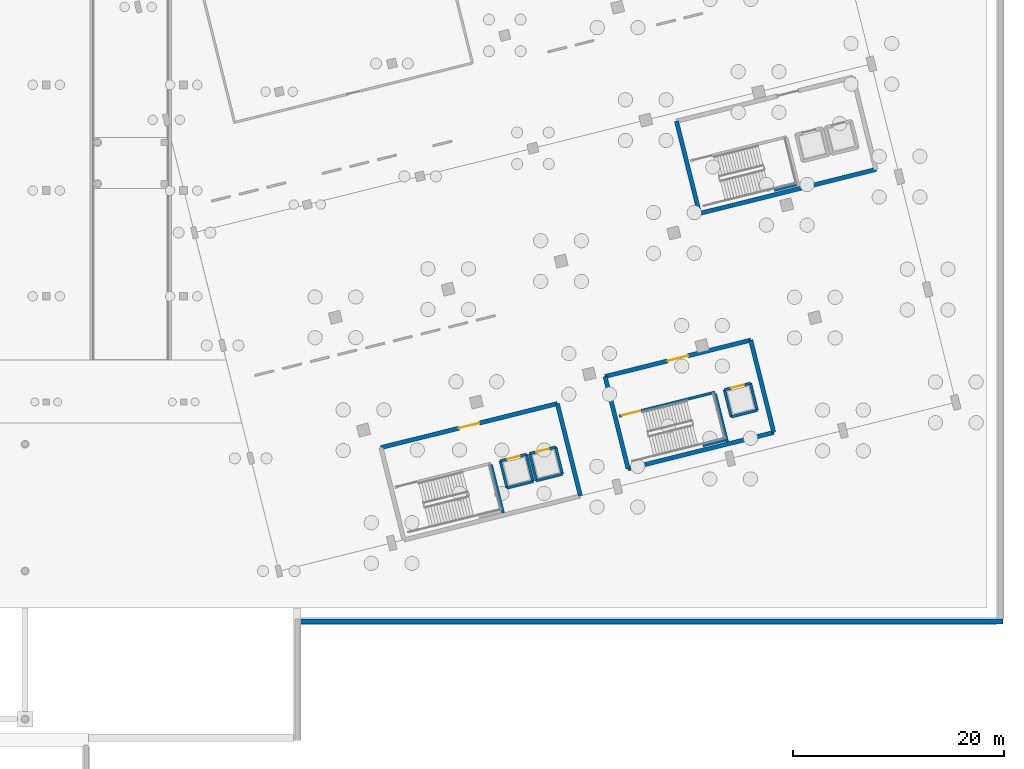
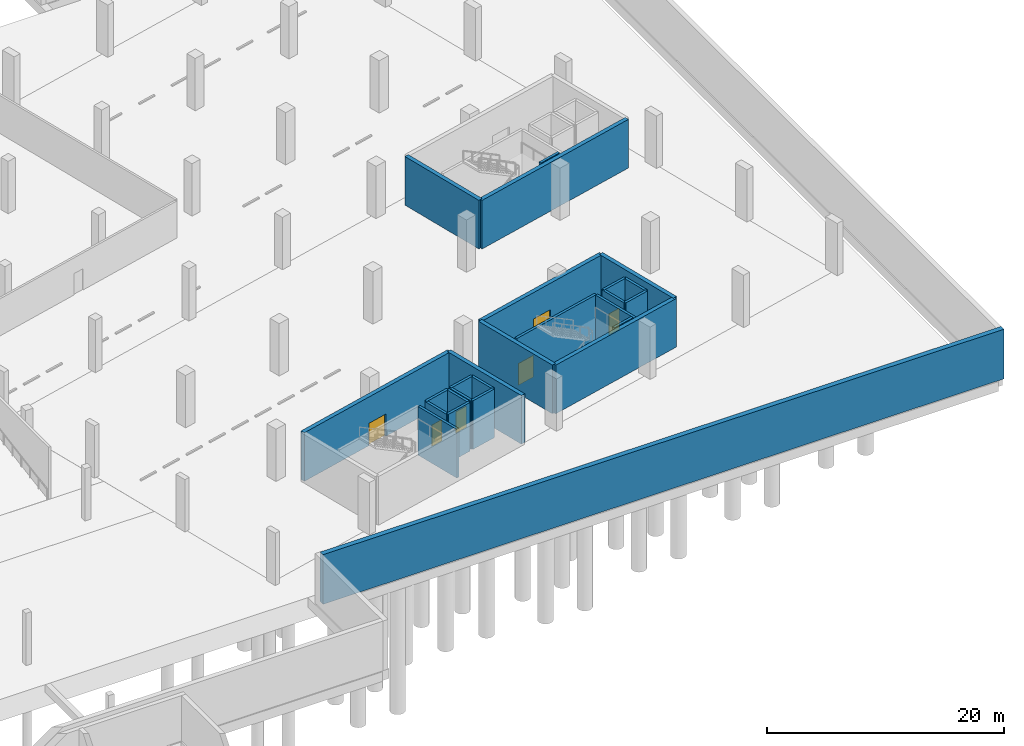
# One storey, part 53 of 65: 26 walls, 6 doors, 6 openings.
"""IFC4 building model written with IfcOpenShell, lengths in metres."""

from ifc_helpers import new_model, si_unit, direction, frame, frame_2d, origin, place, context, subcontext, project, spatial, rectangle, extrude, material, layer, layer_set, type_object, element, fill, save


model = new_model("IFC4")

# Units and contexts
model_context = context("Model", 3, precision=1e-05, world=origin(), true_north=direction((0.0, 1.0)))
body_context = subcontext(model_context, "Body", "Model", "MODEL_VIEW")
ifc_project = project(units=[si_unit("LENGTHUNIT", "METRE"), si_unit("AREAUNIT", "SQUARE_METRE"), si_unit("VOLUMEUNIT", "CUBIC_METRE"), si_unit("PLANEANGLEUNIT", "RADIAN"), si_unit("MASSUNIT", "GRAM", prefix="KILO")], contexts=[model_context])

# Site, building, storey
site_placement = place(None, origin())
site = spatial("IfcSite", under=ifc_project, at=site_placement, CompositionType="ELEMENT")
building_placement = place(site_placement, origin())
building = spatial("IfcBuilding", under=site, at=building_placement, Name="Khorjan Park Terminus", CompositionType="ELEMENT")
storey_placement = place(building_placement, frame((0.0, 0.0, -5.4)))
storey = spatial("IfcBuildingStorey", under=building, at=storey_placement, Name="B1", CompositionType="ELEMENT", Elevation=-5.4)

# Wall
ifc_material_1 = material(Name="Concrete C50/60", Category="concrete")
ifc_layer_1 = layer(ifc_material_1, 0.4)
ifc_layer_set_1 = layer_set([ifc_layer_1], Name="Concrete C50/60")
wall_type_1 = type_object("IfcWallType", Name="CW-40", PredefinedType="SHEAR", material=ifc_layer_set_1)
wall_1_placement = place(storey_placement, frame((194.5267, 9.1125, 0.0), z_axis=(0.0, 0.0, 1.0), x_axis=(-0.241923808098, 0.970295249435, 0.0)))
element("IfcWall", 1, at=wall_1_placement, inside=storey, type_object=wall_type_1, Name="Operations West Firefighting Core concrete shear wall CW-40 (B1-E2)", PredefinedType="SHEAR", context=body_context, shape_type="SweptSolid", body=[
    extrude(rectangle(XDim=8.9999, YDim=0.4, at=frame_2d((4.5, 0.0))), origin(), (0.0, 0.0, 1.0), 5.02),
])

# Wall, opening, door
wall_2_placement = place(storey_placement, frame((192.3494, 17.8451, 0.0), z_axis=(0.0, 0.0, 1.0), x_axis=(-0.970296544738, -0.241918612906, 0.0)))
wall_2 = element("IfcWall", 2, at=wall_2_placement, inside=storey, type_object=wall_type_1, Name="Operations West Firefighting Core concrete shear wall CW-40 (B1-E3)", PredefinedType="SHEAR", context=body_context, shape_type="SweptSolid", body=[
    extrude(rectangle(XDim=17.2, YDim=0.4, at=frame_2d((8.6, 0.0))), origin(), (0.0, 0.0, 1.0), 5.02),
])
opening_1_placement = place(wall_2_placement, frame((7.6, 0.0, 0.0)))
opening_1 = element("IfcOpeningElement", 3, at=opening_1_placement, cuts=wall_2, Name="Opening FD-20", PredefinedType="OPENING", context=body_context, shape_type="SweptSolid", body=[
    extrude(rectangle(XDim=2.0, YDim=2.3, at=frame_2d((1.0, 1.15))), frame((0.0, 0.21, 0.0), z_axis=(0.0, -1.0, 0.0), x_axis=(1.0, 0.0, 0.0)), (0.0, 0.0, 1.0), 0.42),
])
ifc_material_2 = material(Name="Fire-Rated Steel Double Door", Category="steel")
door_type_1 = type_object("IfcDoorType", Name="FD-20", OperationType="NOTDEFINED", PredefinedType="DOOR", material=ifc_material_2)
door_1_placement = place(opening_1_placement, origin())
door_1 = element("IfcDoor", 4, at=door_1_placement, inside=storey, type_object=door_type_1, Name="Operations West Firefighting Core fire-rated exit door FD-20 (B1)", OperationType="DOUBLE_DOOR_SINGLE_SWING", OverallHeight=2.3, OverallWidth=2.0, PredefinedType="DOOR", context=body_context, shape_type="SweptSolid", body=[
    extrude(rectangle(XDim=2.0, YDim=2.3, at=frame_2d((1.0, 1.15))), frame((0.0, 0.025, 0.0), z_axis=(0.0, -1.0, 0.0), x_axis=(1.0, 0.0, 0.0)), (0.0, 0.0, 1.0), 0.05),
])
fill(opening_1, door_1)

# Walls
wall_3_placement = place(storey_placement, frame((205.7973, 35.8328, 0.0), z_axis=(0.0, 0.0, 1.0), x_axis=(0.970295179998, 0.241924086589, 0.0)))
element("IfcWall", 5, at=wall_3_placement, inside=storey, type_object=wall_type_1, Name="Operations North-East Firefighting Core concrete shear wall CW-40 (B1-E1)", PredefinedType="SHEAR", context=body_context, shape_type="SweptSolid", body=[
    extrude(rectangle(XDim=17.2, YDim=0.4, at=frame_2d((8.6, 0.0))), origin(), (0.0, 0.0, 1.0), 5.02),
])
wall_4_placement = place(storey_placement, frame((203.62, 44.5655, 0.0), z_axis=(0.0, 0.0, 1.0), x_axis=(0.241921199913, -0.97029589973, 0.0)))
element("IfcWall", 6, at=wall_4_placement, inside=storey, type_object=wall_type_1, Name="Operations North-East Firefighting Core concrete shear wall CW-40 (B1-E4)", PredefinedType="SHEAR", context=body_context, shape_type="SweptSolid", body=[
    extrude(rectangle(XDim=9.0, YDim=0.4, at=frame_2d((4.5, 0.0))), origin(), (0.0, 0.0, 1.0), 5.02),
])
wall_5_placement = place(storey_placement, frame((199.0395, 11.6805, 0.0), z_axis=(0.0, 0.0, 1.0), x_axis=(0.970295578967, 0.241922486422, 0.0)))
element("IfcWall", 7, at=wall_5_placement, inside=storey, type_object=wall_type_1, Name="Operations Central Command Core concrete shear wall CW-40 (B1-E1)", PredefinedType="SHEAR", context=body_context, shape_type="SweptSolid", body=[
    extrude(rectangle(XDim=14.2, YDim=0.4, at=frame_2d((7.1, 0.0))), origin(), (0.0, 0.0, 1.0), 5.02),
])
wall_6_placement = place(storey_placement, frame((212.8177, 15.1158, 0.0), z_axis=(0.0, 0.0, 1.0), x_axis=(-0.241921199913, 0.97029589973, 0.0)))
element("IfcWall", 8, at=wall_6_placement, inside=storey, type_object=wall_type_1, Name="Operations Central Command Core concrete shear wall CW-40 (B1-E2)", PredefinedType="SHEAR", context=body_context, shape_type="SweptSolid", body=[
    extrude(rectangle(XDim=9.0, YDim=0.4, at=frame_2d((4.5, 0.0))), origin(), (0.0, 0.0, 1.0), 5.02),
])

# Wall, opening, door
wall_7_placement = place(storey_placement, frame((210.6404, 23.8485, 0.0), z_axis=(0.0, 0.0, 1.0), x_axis=(-0.970295578967, -0.241922486422, 0.0)))
wall_7 = element("IfcWall", 9, at=wall_7_placement, inside=storey, type_object=wall_type_1, Name="Operations Central Command Core concrete shear wall CW-40 (B1-E3)", PredefinedType="SHEAR", context=body_context, shape_type="SweptSolid", body=[
    extrude(rectangle(XDim=14.2, YDim=0.4, at=frame_2d((7.1, 0.0))), origin(), (0.0, 0.0, 1.0), 5.02),
])
opening_2_placement = place(wall_7_placement, frame((6.1, 0.0, 0.0)))
opening_2 = element("IfcOpeningElement", 10, at=opening_2_placement, cuts=wall_7, Name="Opening FD-20", PredefinedType="OPENING", context=body_context, shape_type="SweptSolid", body=[
    extrude(rectangle(XDim=2.0, YDim=2.3, at=frame_2d((1.0, 1.15))), frame((0.0, 0.21, 0.0), z_axis=(0.0, -1.0, 0.0), x_axis=(1.0, 0.0, 0.0)), (0.0, 0.0, 1.0), 0.42),
])
door_2_placement = place(opening_2_placement, origin())
door_2 = element("IfcDoor", 11, at=door_2_placement, inside=storey, type_object=door_type_1, Name="Operations Central Command Core fire-rated exit door FD-20 (B1)", OperationType="DOUBLE_DOOR_SINGLE_SWING", OverallHeight=2.3, OverallWidth=2.0, PredefinedType="DOOR", context=body_context, shape_type="SweptSolid", body=[
    extrude(rectangle(XDim=2.0, YDim=2.3, at=frame_2d((1.0, 1.15))), frame((0.0, 0.025, 0.0), z_axis=(0.0, -1.0, 0.0), x_axis=(1.0, 0.0, 0.0)), (0.0, 0.0, 1.0), 0.05),
])
fill(opening_2, door_2)

# Walls
wall_8_placement = place(storey_placement, frame((196.8622, 20.4132, 0.0), z_axis=(0.0, 0.0, 1.0), x_axis=(0.241921199913, -0.97029589973, 0.0)))
element("IfcWall", 12, at=wall_8_placement, inside=storey, type_object=wall_type_1, Name="Operations Central Command Core concrete shear wall CW-40 (B1-E4)", PredefinedType="SHEAR", context=body_context, shape_type="SweptSolid", body=[
    extrude(rectangle(XDim=9.0, YDim=0.4, at=frame_2d((4.5, 0.0))), origin(), (0.0, 0.0, 1.0), 5.02),
])
ifc_material_3 = material(Name="Concrete C40/50", Category="concrete")
ifc_layer_2 = layer(ifc_material_3, 0.48)
ifc_layer_set_2 = layer_set([ifc_layer_2], Name="Concrete C40/50")
wall_type_2 = type_object("IfcWallType", Name="RW-48", PredefinedType="SOLIDWALL", material=ifc_layer_set_2)
wall_9_placement = place(storey_placement, frame((234.489, -2.752, 0.0), z_axis=(0.0, 0.0, 1.0), x_axis=(-1.0, 0.0, 0.0)))
element("IfcWall", 13, at=wall_9_placement, inside=storey, type_object=wall_type_2, Name="Perimeter substructure concrete retaining wall RW-48 (57)", PredefinedType="SOLIDWALL", context=body_context, shape_type="SweptSolid", body=[
    extrude(rectangle(XDim=66.489, YDim=0.48, at=frame_2d((33.2445, 0.0))), origin(), (0.0, 0.0, 1.0), 5.12),
])
ifc_layer_3 = layer(ifc_material_3, 0.25)
ifc_layer_set_3 = layer_set([ifc_layer_3], Name="Concrete C40/50")
wall_type_3 = type_object("IfcWallType", Name="SW-25", PredefinedType="SOLIDWALL", material=ifc_layer_set_3)
wall_10_placement = place(storey_placement, frame((187.5883, 9.8663, 0.0), z_axis=(0.0, 0.0, 1.0), x_axis=(0.97029284861, 0.241933436994, 0.0)))
element("IfcWall", 14, at=wall_10_placement, inside=storey, type_object=wall_type_3, Name="Lift L05 concrete shaft wall SW-25 (B1-1)", PredefinedType="SOLIDWALL", context=body_context, shape_type="SweptSolid", body=[
    extrude(rectangle(XDim=2.54, YDim=0.25, at=frame_2d((1.27, 0.0))), origin(), (0.0, 0.0, 1.0), 5.02),
])
wall_11_placement = place(storey_placement, frame((190.0528, 10.4808, 0.0), z_axis=(0.0, 0.0, 1.0), x_axis=(-0.241938414856, 0.970291607413, 0.0)))
element("IfcWall", 15, at=wall_11_placement, inside=storey, type_object=wall_type_3, Name="Lift L05 concrete shaft wall SW-25 (B1-2)", PredefinedType="SOLIDWALL", context=body_context, shape_type="SweptSolid", body=[
    extrude(rectangle(XDim=2.6399, YDim=0.25, at=frame_2d((1.3199, 0.0))), origin(), (0.0, 0.0, 1.0), 5.02),
])

# Wall, opening, door
wall_12_placement = place(storey_placement, frame((189.4141, 13.0423, 0.0), z_axis=(0.0, 0.0, 1.0), x_axis=(-0.97029284861, -0.241933436994, 0.0)))
wall_12 = element("IfcWall", 16, at=wall_12_placement, inside=storey, type_object=wall_type_3, Name="Lift L05 concrete shaft wall SW-25 (B1-3)", PredefinedType="SOLIDWALL", context=body_context, shape_type="SweptSolid", body=[
    extrude(rectangle(XDim=2.54, YDim=0.25, at=frame_2d((1.27, 0.0))), origin(), (0.0, 0.0, 1.0), 5.02),
])
opening_3_placement = place(wall_12_placement, frame((0.67, 0.0, 0.0)))
opening_3 = element("IfcOpeningElement", 17, at=opening_3_placement, cuts=wall_12, Name="Opening LD-12", PredefinedType="OPENING", context=body_context, shape_type="SweptSolid", body=[
    extrude(rectangle(XDim=1.2, YDim=2.2, at=frame_2d((0.6, 1.1))), frame((0.0, 0.135, 0.0), z_axis=(0.0, -1.0, 0.0), x_axis=(1.0, 0.0, 0.0)), (0.0, 0.0, 1.0), 0.27),
])
ifc_material_4 = material(Name="Stainless-Steel Lift Landing Sliding Door", Category="steel")
door_type_2 = type_object("IfcDoorType", Name="LD-12", OperationType="NOTDEFINED", PredefinedType="DOOR", material=ifc_material_4)
door_3_placement = place(opening_3_placement, origin())
door_3 = element("IfcDoor", 18, at=door_3_placement, inside=storey, type_object=door_type_2, Name="Lift L05 sliding landing door LD-12 (B1)", OperationType="SLIDING_TO_LEFT", OverallHeight=2.2, OverallWidth=1.2, PredefinedType="DOOR", context=body_context, shape_type="SweptSolid", body=[
    extrude(rectangle(XDim=1.2, YDim=2.2, at=frame_2d((0.6, 1.1))), frame((0.0, 0.025, 0.0), z_axis=(0.0, -1.0, 0.0), x_axis=(1.0, 0.0, 0.0)), (0.0, 0.0, 1.0), 0.05),
])
fill(opening_3, door_3)

# Walls
wall_13_placement = place(storey_placement, frame((186.9496, 12.4278, 0.0), z_axis=(0.0, 0.0, 1.0), x_axis=(0.241938414856, -0.970291607413, 0.0)))
element("IfcWall", 19, at=wall_13_placement, inside=storey, type_object=wall_type_3, Name="Lift L05 concrete shaft wall SW-25 (B1-4)", PredefinedType="SOLIDWALL", context=body_context, shape_type="SweptSolid", body=[
    extrude(rectangle(XDim=2.6399, YDim=0.25, at=frame_2d((1.3199, 0.0))), origin(), (0.0, 0.0, 1.0), 5.02),
])
wall_14_placement = place(storey_placement, frame((190.3633, 10.5582, 0.0), z_axis=(0.0, 0.0, 1.0), x_axis=(0.97029284861, 0.241933436994, 0.0)))
element("IfcWall", 20, at=wall_14_placement, inside=storey, type_object=wall_type_3, Name="Lift L06 concrete shaft wall SW-25 (B1-1)", PredefinedType="SOLIDWALL", context=body_context, shape_type="SweptSolid", body=[
    extrude(rectangle(XDim=2.54, YDim=0.25, at=frame_2d((1.27, 0.0))), origin(), (0.0, 0.0, 1.0), 5.02),
])
wall_15_placement = place(storey_placement, frame((192.8278, 11.1727, 0.0), z_axis=(0.0, 0.0, 1.0), x_axis=(-0.241938414856, 0.970291607413, 0.0)))
element("IfcWall", 21, at=wall_15_placement, inside=storey, type_object=wall_type_3, Name="Lift L06 concrete shaft wall SW-25 (B1-2)", PredefinedType="SOLIDWALL", context=body_context, shape_type="SweptSolid", body=[
    extrude(rectangle(XDim=2.6399, YDim=0.25, at=frame_2d((1.3199, 0.0))), origin(), (0.0, 0.0, 1.0), 5.02),
])

# Wall, opening, door
wall_16_placement = place(storey_placement, frame((192.1891, 13.7342, 0.0), z_axis=(0.0, 0.0, 1.0), x_axis=(-0.97029284861, -0.241933436994, 0.0)))
wall_16 = element("IfcWall", 22, at=wall_16_placement, inside=storey, type_object=wall_type_3, Name="Lift L06 concrete shaft wall SW-25 (B1-3)", PredefinedType="SOLIDWALL", context=body_context, shape_type="SweptSolid", body=[
    extrude(rectangle(XDim=2.54, YDim=0.25, at=frame_2d((1.27, 0.0))), origin(), (0.0, 0.0, 1.0), 5.02),
])
opening_4_placement = place(wall_16_placement, frame((0.67, 0.0, 0.0)))
opening_4 = element("IfcOpeningElement", 23, at=opening_4_placement, cuts=wall_16, Name="Opening LD-12", PredefinedType="OPENING", context=body_context, shape_type="SweptSolid", body=[
    extrude(rectangle(XDim=1.2, YDim=2.2, at=frame_2d((0.6, 1.1))), frame((0.0, 0.135, 0.0), z_axis=(0.0, -1.0, 0.0), x_axis=(1.0, 0.0, 0.0)), (0.0, 0.0, 1.0), 0.27),
])
door_4_placement = place(opening_4_placement, origin())
door_4 = element("IfcDoor", 24, at=door_4_placement, inside=storey, type_object=door_type_2, Name="Lift L06 sliding landing door LD-12 (B1)", OperationType="SLIDING_TO_RIGHT", OverallHeight=2.2, OverallWidth=1.2, PredefinedType="DOOR", context=body_context, shape_type="SweptSolid", body=[
    extrude(rectangle(XDim=1.2, YDim=2.2, at=frame_2d((0.6, 1.1))), frame((0.0, 0.025, 0.0), z_axis=(0.0, -1.0, 0.0), x_axis=(1.0, 0.0, 0.0)), (0.0, 0.0, 1.0), 0.05),
])
fill(opening_4, door_4)

# Walls
wall_17_placement = place(storey_placement, frame((189.7246, 13.1197, 0.0), z_axis=(0.0, 0.0, 1.0), x_axis=(0.241938414856, -0.970291607413, 0.0)))
element("IfcWall", 25, at=wall_17_placement, inside=storey, type_object=wall_type_3, Name="Lift L06 concrete shaft wall SW-25 (B1-4)", PredefinedType="SOLIDWALL", context=body_context, shape_type="SweptSolid", body=[
    extrude(rectangle(XDim=2.6399, YDim=0.25, at=frame_2d((1.3199, 0.0))), origin(), (0.0, 0.0, 1.0), 5.02),
])
wall_18_placement = place(storey_placement, frame((208.7902, 16.5954, 0.0), z_axis=(0.0, 0.0, 1.0), x_axis=(0.97029284861, 0.241933436994, 0.0)))
element("IfcWall", 26, at=wall_18_placement, inside=storey, type_object=wall_type_3, Name="Lift L12 concrete shaft wall SW-25 (B1-1)", PredefinedType="SOLIDWALL", context=body_context, shape_type="SweptSolid", body=[
    extrude(rectangle(XDim=2.54, YDim=0.25, at=frame_2d((1.27, 0.0))), origin(), (0.0, 0.0, 1.0), 5.02),
])
wall_19_placement = place(storey_placement, frame((211.2547, 17.2099, 0.0), z_axis=(0.0, 0.0, 1.0), x_axis=(-0.241938414856, 0.970291607413, 0.0)))
element("IfcWall", 27, at=wall_19_placement, inside=storey, type_object=wall_type_3, Name="Lift L12 concrete shaft wall SW-25 (B1-2)", PredefinedType="SOLIDWALL", context=body_context, shape_type="SweptSolid", body=[
    extrude(rectangle(XDim=2.6399, YDim=0.25, at=frame_2d((1.3199, 0.0))), origin(), (0.0, 0.0, 1.0), 5.02),
])

# Wall, opening, door
wall_20_placement = place(storey_placement, frame((210.616, 19.7714, 0.0), z_axis=(0.0, 0.0, 1.0), x_axis=(-0.97029284861, -0.241933436994, 0.0)))
wall_20 = element("IfcWall", 28, at=wall_20_placement, inside=storey, type_object=wall_type_3, Name="Lift L12 concrete shaft wall SW-25 (B1-3)", PredefinedType="SOLIDWALL", context=body_context, shape_type="SweptSolid", body=[
    extrude(rectangle(XDim=2.54, YDim=0.25, at=frame_2d((1.27, 0.0))), origin(), (0.0, 0.0, 1.0), 5.02),
])
opening_5_placement = place(wall_20_placement, frame((0.67, 0.0, 0.0)))
opening_5 = element("IfcOpeningElement", 29, at=opening_5_placement, cuts=wall_20, Name="Opening LD-12", PredefinedType="OPENING", context=body_context, shape_type="SweptSolid", body=[
    extrude(rectangle(XDim=1.2, YDim=2.2, at=frame_2d((0.6, 1.1))), frame((0.0, 0.135, 0.0), z_axis=(0.0, -1.0, 0.0), x_axis=(1.0, 0.0, 0.0)), (0.0, 0.0, 1.0), 0.27),
])
door_5_placement = place(opening_5_placement, origin())
door_5 = element("IfcDoor", 30, at=door_5_placement, inside=storey, type_object=door_type_2, Name="Lift L12 sliding landing door LD-12 (B1)", OperationType="SLIDING_TO_LEFT", OverallHeight=2.2, OverallWidth=1.2, PredefinedType="DOOR", context=body_context, shape_type="SweptSolid", body=[
    extrude(rectangle(XDim=1.2, YDim=2.2, at=frame_2d((0.6, 1.1))), frame((0.0, 0.025, 0.0), z_axis=(0.0, -1.0, 0.0), x_axis=(1.0, 0.0, 0.0)), (0.0, 0.0, 1.0), 0.05),
])
fill(opening_5, door_5)

# Walls
wall_21_placement = place(storey_placement, frame((208.1515, 19.1569, 0.0), z_axis=(0.0, 0.0, 1.0), x_axis=(0.241938414856, -0.970291607413, 0.0)))
element("IfcWall", 31, at=wall_21_placement, inside=storey, type_object=wall_type_3, Name="Lift L12 concrete shaft wall SW-25 (B1-4)", PredefinedType="SOLIDWALL", context=body_context, shape_type="SweptSolid", body=[
    extrude(rectangle(XDim=2.6399, YDim=0.25, at=frame_2d((1.3199, 0.0))), origin(), (0.0, 0.0, 1.0), 5.02),
])
wall_22_placement = place(storey_placement, frame((187.2253, 7.4981, 0.0), z_axis=(0.0, 0.0, 1.0), x_axis=(-0.241911120435, 0.970298412763, 0.0)))
element("IfcWall", 32, at=wall_22_placement, inside=storey, type_object=wall_type_3, Name="Operations West Firefighting Core stairwell end bearing wall SW-25 (B1)", PredefinedType="SOLIDWALL", context=body_context, shape_type="SweptSolid", body=[
    extrude(rectangle(XDim=4.71, YDim=0.25, at=frame_2d((2.355, 0.0))), origin(), (0.0, 0.0, 1.0), 5.02),
])
wall_23_placement = place(storey_placement, frame((212.8747, 38.0354, 0.0), z_axis=(0.0, 0.0, 1.0), x_axis=(0.97029738597, 0.241915238833, 0.0)))
element("IfcWall", 33, at=wall_23_placement, inside=storey, type_object=wall_type_3, Name="Operations North-East Firefighting Core half-landing bearing wall SW-25 (B1)", PredefinedType="SOLIDWALL", context=body_context, shape_type="SweptSolid", body=[
    extrude(rectangle(XDim=2.1999, YDim=0.25, at=frame_2d((1.0999, 0.0))), origin(), (0.0, 0.0, 1.0), 5.02),
])

# Wall, opening, door
wall_24_placement = place(storey_placement, frame((198.1901, 16.6579, 0.0), z_axis=(0.0, 0.0, 1.0), x_axis=(0.970297151331, 0.241916179943, 0.0)))
wall_24 = element("IfcWall", 34, at=wall_24_placement, inside=storey, type_object=wall_type_3, Name="Operations Central Command Core structural stairwell wall SW-25 (B1)", PredefinedType="SOLIDWALL", context=body_context, shape_type="SweptSolid", body=[
    extrude(rectangle(XDim=9.345, YDim=0.25, at=frame_2d((4.6725, 0.0))), origin(), (0.0, 0.0, 1.0), 5.02),
])
opening_6_placement = place(wall_24_placement, frame((0.25, 0.0, 0.0)))
opening_6 = element("IfcOpeningElement", 35, at=opening_6_placement, cuts=wall_24, Name="Opening FD-18", PredefinedType="OPENING", context=body_context, shape_type="SweptSolid", body=[
    extrude(rectangle(XDim=1.8, YDim=2.25, at=frame_2d((0.9, 1.125))), frame((0.0, 0.135, 0.0), z_axis=(0.0, -1.0, 0.0), x_axis=(1.0, 0.0, 0.0)), (0.0, 0.0, 1.0), 0.27),
])
door_type_3 = type_object("IfcDoorType", Name="FD-18", OperationType="NOTDEFINED", PredefinedType="DOOR", material=ifc_material_2)
door_6_placement = place(opening_6_placement, origin())
door_6 = element("IfcDoor", 36, at=door_6_placement, inside=storey, type_object=door_type_3, Name="Operations Central Command Core stairwell fire door FD-18 (B1)", OperationType="DOUBLE_DOOR_SINGLE_SWING", OverallHeight=2.25, OverallWidth=1.8, PredefinedType="DOOR", context=body_context, shape_type="SweptSolid", body=[
    extrude(rectangle(XDim=1.8, YDim=2.25, at=frame_2d((0.9, 1.125))), frame((0.0, 0.025, 0.0), z_axis=(0.0, -1.0, 0.0), x_axis=(1.0, 0.0, 0.0)), (0.0, 0.0, 1.0), 0.05),
])
fill(opening_6, door_6)

# Walls
wall_25_placement = place(storey_placement, frame((208.4272, 14.2272, 0.0), z_axis=(0.0, 0.0, 1.0), x_axis=(-0.241911120435, 0.970298412763, 0.0)))
element("IfcWall", 37, at=wall_25_placement, inside=storey, type_object=wall_type_3, Name="Operations Central Command Core stairwell end bearing wall SW-25 (B1)", PredefinedType="SOLIDWALL", context=body_context, shape_type="SweptSolid", body=[
    extrude(rectangle(XDim=4.71, YDim=0.25, at=frame_2d((2.355, 0.0))), origin(), (0.0, 0.0, 1.0), 5.02),
])
wall_26_placement = place(storey_placement, frame((206.1169, 13.8831, 0.0), z_axis=(0.0, 0.0, 1.0), x_axis=(0.97029738597, 0.241915238833, 0.0)))
element("IfcWall", 38, at=wall_26_placement, inside=storey, type_object=wall_type_3, Name="Operations Central Command Core half-landing bearing wall SW-25 (B1)", PredefinedType="SOLIDWALL", context=body_context, shape_type="SweptSolid", body=[
    extrude(rectangle(XDim=2.1999, YDim=0.25, at=frame_2d((1.0999, 0.0))), origin(), (0.0, 0.0, 1.0), 5.02),
])

save(model, "model.ifc")
